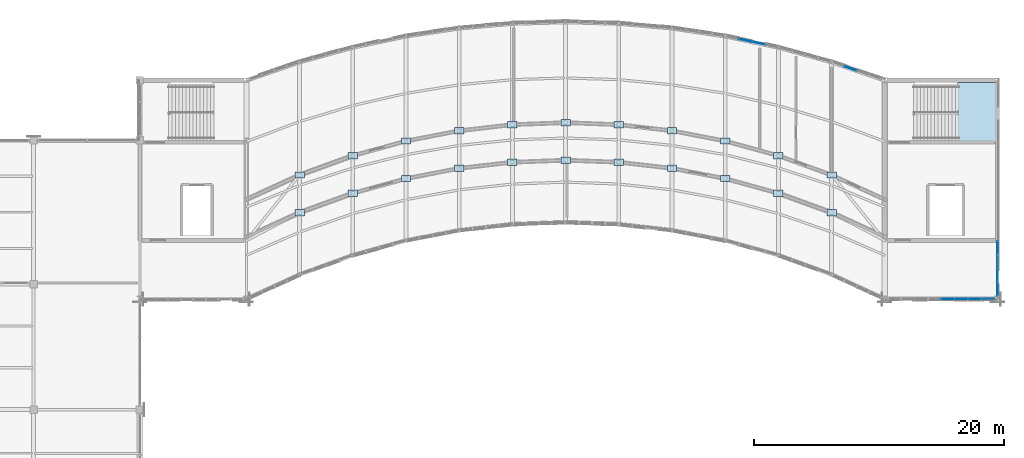
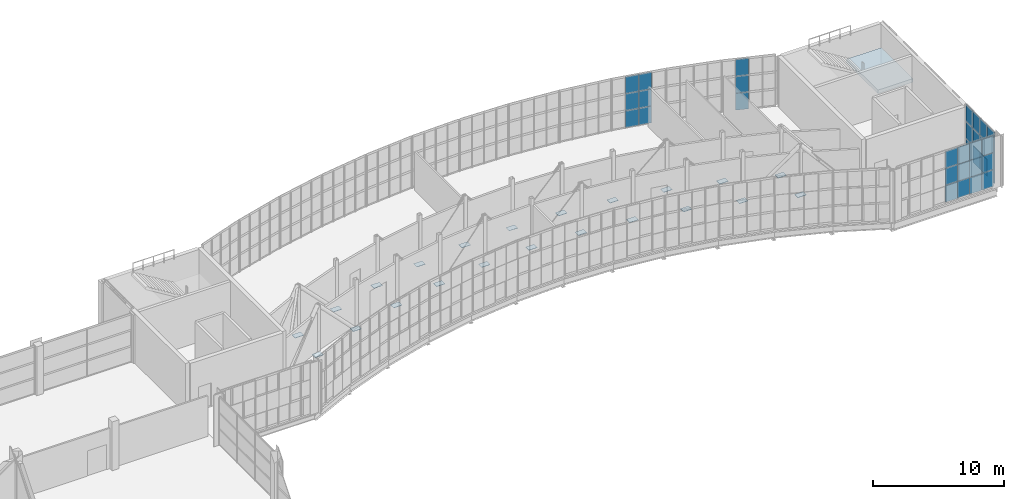
# One storey, part 39 of 46: 55 plates, 1 slab, 5 elements without a shape of their own.
"""IFC4 building model written with IfcOpenShell, lengths in metres."""

from ifc_helpers import new_model, si_unit, direction, frame, origin, origin_2d, place, context, subcontext, project, spatial, polyline, rectangle, outline, extrude, material, layer, layer_set, type_object, element, aggregate, save


model = new_model("IFC4")

# Units and contexts
model_context = context("Model", 3, precision=1e-05, world=origin(), true_north=direction((0.0, 1.0)))
body_context = subcontext(model_context, "Body", "Model", "MODEL_VIEW")
ifc_project = project(units=[si_unit("LENGTHUNIT", "METRE"), si_unit("AREAUNIT", "SQUARE_METRE"), si_unit("VOLUMEUNIT", "CUBIC_METRE"), si_unit("PLANEANGLEUNIT", "RADIAN"), si_unit("MASSUNIT", "GRAM", prefix="KILO")], contexts=[model_context])

# Site, building, storey
site_placement = place(None, origin())
site = spatial("IfcSite", under=ifc_project, at=site_placement, CompositionType="ELEMENT")
building_placement = place(site_placement, origin())
building = spatial("IfcBuilding", under=site, at=building_placement, Name="Solvikara Media Centre", CompositionType="ELEMENT")
storey_placement = place(building_placement, frame((0.0, 0.0, 24.60009765625)))
storey = spatial("IfcBuildingStorey", under=building, at=storey_placement, Name="L05", CompositionType="ELEMENT", Elevation=24.60009765625)

# Plates
ifc_material_1 = material(Name="Steel S355JR", Category="steel")
ifc_layer_1 = layer(ifc_material_1, 0.028076171875)
ifc_layer_set_1 = layer_set([ifc_layer_1], Name="Steel S355JR")
plate_type_1 = type_object("IfcPlateType", Name="PL-01", PredefinedType="USERDEFINED", material=ifc_layer_set_1)
for number, where, z_axis, x_axis, name in (
    (1, (80.75, 26.22900390625, -0.4140625), (0.0, 0.0, 1.0), (1.0, 0.0, 0.0), "GP-L05-S-01"),
    (2, (85.0, 27.77392578125, -0.4140625), (0.0, 0.0, 1.0), (1.0, 0.0, 0.0), "GP-L05-S-02"),
    (3, (89.25, 28.946044921875, -0.4140625), (0.0, 0.0, 1.0), (1.0, 0.0, 0.0), "GP-L05-S-03"),
    (4, (93.5, 29.76806640625, -0.4140625), (0.0, 0.0, 1.0), (1.0, 0.0, 0.0), "GP-L05-S-04"),
    (5, (97.75, 30.2548828125, -0.4140625), (0.0, 0.0, 1.0), (1.0, 0.0, 0.0), "GP-L05-S-05"),
    (6, (102.0, 30.4169921875, -0.4140625), (0.0, 0.0, 1.0), (1.0, 0.0, 0.0), "GP-L05-S-06"),
    (7, (106.25, 30.2548828125, -0.4140625), (0.0, 0.0, 1.0), (1.0, 0.0, 0.0), "GP-L05-S-07"),
    (8, (110.5, 29.76806640625, -0.4140625), (0.0, 0.0, 1.0), (1.0, 0.0, 0.0), "GP-L05-S-08"),
    (9, (114.75, 28.946044921875, -0.4140625), (0.0, 0.0, 1.0), (1.0, 0.0, 0.0), "GP-L05-S-09"),
    (10, (119.0, 27.77392578125, -0.4140625), (0.0, 0.0, 1.0), (1.0, 0.0, 0.0), "GP-L05-S-10"),
    (11, (123.25, 26.22900390625, -0.4140625), (0.0, 0.0, 1.0), (1.0, 0.0, 0.0), "GP-L05-S-11"),
    (12, (80.75, 29.22900390625, -0.4140625), (0.0, 0.0, 1.0), (1.0, 0.0, 0.0), "GP-L05-N-01"),
    (13, (85.0, 30.77392578125, -0.4140625), (0.0, 0.0, 1.0), (1.0, 0.0, 0.0), "GP-L05-N-02"),
    (14, (89.25, 31.946044921875, -0.4140625), (0.0, 0.0, 1.0), (1.0, 0.0, 0.0), "GP-L05-N-03"),
    (15, (93.5, 32.76806640625, -0.4140625), (0.0, 0.0, 1.0), (1.0, 0.0, 0.0), "GP-L05-N-04"),
    (16, (97.75, 33.2548828125, -0.4140625), (0.0, 0.0, 1.0), (1.0, 0.0, 0.0), "GP-L05-N-05"),
    (17, (102.0, 33.4169921875, -0.4140625), (0.0, 0.0, 1.0), (1.0, 0.0, 0.0), "GP-L05-N-06"),
    (18, (106.25, 33.2548828125, -0.4140625), (0.0, 0.0, 1.0), (1.0, 0.0, 0.0), "GP-L05-N-07"),
    (19, (110.5, 32.76806640625, -0.4140625), (0.0, 0.0, 1.0), (1.0, 0.0, 0.0), "GP-L05-N-08"),
    (20, (114.75, 31.946044921875, -0.4140625), (0.0, 0.0, 1.0), (1.0, 0.0, 0.0), "GP-L05-N-09"),
    (21, (119.0, 30.77392578125, -0.4140625), (0.0, 0.0, 1.0), (1.0, 0.0, 0.0), "GP-L05-N-10"),
    (22, (123.25, 29.22900390625, -0.4140625), (0.0, 0.0, 1.0), (1.0, 0.0, 0.0), "GP-L05-N-11"),
):
    element("IfcPlate", number, at=place(storey_placement, frame(where, z_axis=z_axis, x_axis=x_axis)), inside=storey, type_object=plate_type_1, Name=name, ObjectType="GUSSET PLATE", PredefinedType="USERDEFINED", context=body_context, shape_type="SweptSolid", body=[
        extrude(rectangle(XDim=0.75, YDim=0.5, at=origin_2d()), origin(), (0.0, 0.0, 1.0), 0.028076171875),
    ])

# Curtain wall, plates
ifc_material_2 = material(Name="Anodised aluminium EN AW-6063", Category="aluminium")
curtain_wall_type_1 = type_object("IfcCurtainWallType", Name="CW-02", PredefinedType="NOTDEFINED", material=ifc_material_2)
curtain_wall_1_placement = place(storey_placement, origin())
curtain_wall_1 = element("IfcCurtainWall", 23, at=curtain_wall_1_placement, inside=storey, type_object=curtain_wall_type_1, Name="CW-L05-NARC-09", PredefinedType="NOTDEFINED")
ifc_material_3 = material(Name="Laminated solar-control cyan vision glass", Category="glass")
ifc_layer_2 = layer(ifc_material_3, 0.035888671875)
ifc_layer_set_2 = layer_set([ifc_layer_2], Name="Laminated solar-control cyan vision glass")
plate_type_2 = type_object("IfcPlateType", Name="PN-01", PredefinedType="CURTAIN_PANEL", material=ifc_layer_set_2)
plate_1_placement = place(storey_placement, frame((116.35205078125, 39.989990234375, 1.62158203125), z_axis=(0.0, 0.0, 1.0), x_axis=(0.97837923005, -0.206818959981, 0.0)))
plate_1 = element("IfcPlate", 24, at=plate_1_placement, type_object=plate_type_2, Name="CW-L05-NARC-09-P0101", PredefinedType="CURTAIN_PANEL", context=body_context, shape_type="SweptSolid", body=[
    extrude(rectangle(XDim=1.0390625, YDim=0.035888671875, at=origin_2d()), origin(), (0.0, 0.0, 1.0), 1.556884765625),
])
plate_2_placement = place(storey_placement, frame((117.39794921875, 39.76904296875, 0.03466796875), z_axis=(0.0, 0.0, 1.0), x_axis=(0.97837923005, -0.206818959981, 0.0)))
plate_2 = element("IfcPlate", 25, at=plate_2_placement, type_object=plate_type_2, Name="CW-L05-NARC-09-P0200", PredefinedType="CURTAIN_PANEL", context=body_context, shape_type="SweptSolid", body=[
    extrude(rectangle(XDim=1.0390625, YDim=0.035888671875, at=origin_2d()), origin(), (0.0, 0.0, 1.0), 1.556884765625),
])
plate_3_placement = place(storey_placement, frame((117.39794921875, 39.76904296875, 3.20849609375), z_axis=(0.0, 0.0, 1.0), x_axis=(0.97837923005, -0.206818959981, 0.0)))
plate_3 = element("IfcPlate", 26, at=plate_3_placement, type_object=plate_type_2, Name="CW-L05-NARC-09-P0202", PredefinedType="CURTAIN_PANEL", context=body_context, shape_type="SweptSolid", body=[
    extrude(rectangle(XDim=1.0390625, YDim=0.035888671875, at=origin_2d()), origin(), (0.0, 0.0, 1.0), 1.556884765625),
])

# Curtain wall, plate
curtain_wall_2_placement = place(storey_placement, origin())
curtain_wall_2 = element("IfcCurtainWall", 27, at=curtain_wall_2_placement, inside=storey, type_object=curtain_wall_type_1, Name="CW-L05-NARC-11", PredefinedType="NOTDEFINED")
plate_4_placement = place(storey_placement, frame((124.757080078125, 37.741943359375, 0.03466796875), z_axis=(0.0, 0.0, 1.0), x_axis=(0.945705932557, -0.325023520882, 0.0)))
plate_4 = element("IfcPlate", 28, at=plate_4_placement, type_object=plate_type_2, Name="CW-L05-NARC-11-P0100", PredefinedType="CURTAIN_PANEL", context=body_context, shape_type="SweptSolid", body=[
    extrude(rectangle(XDim=1.009033203125, YDim=0.035888671875, at=origin_2d()), origin(), (0.0, 0.0, 1.0), 1.556884765625),
])

# Curtain wall, plates
curtain_wall_type_2 = type_object("IfcCurtainWallType", Name="CW-10", PredefinedType="NOTDEFINED", material=ifc_material_2)
curtain_wall_3_placement = place(storey_placement, origin())
curtain_wall_3 = element("IfcCurtainWall", 29, at=curtain_wall_3_placement, inside=storey, type_object=curtain_wall_type_2, Name="CW-L05-BHES", PredefinedType="NOTDEFINED")
plate_5_placement = place(storey_placement, frame((132.531982421875, 19.323974609375, 3.20849609375), z_axis=(0.0, 0.0, 1.0), x_axis=(1.0, 0.0, 0.0)))
plate_5 = element("IfcPlate", 30, at=plate_5_placement, type_object=plate_type_2, Name="CW-L05-BHES-P0402", PredefinedType="CURTAIN_PANEL", context=body_context, shape_type="SweptSolid", body=[
    extrude(rectangle(XDim=1.033935546875, YDim=0.035888671875, at=origin_2d()), origin(), (0.0, 0.0, 1.0), 1.556884765625),
])
plate_6_placement = place(storey_placement, frame((133.595947265625, 19.323974609375, 0.03466796875), z_axis=(0.0, 0.0, 1.0), x_axis=(1.0, 0.0, 0.0)))
plate_6 = element("IfcPlate", 31, at=plate_6_placement, type_object=plate_type_2, Name="CW-L05-BHES-P0500", PredefinedType="CURTAIN_PANEL", context=body_context, shape_type="SweptSolid", body=[
    extrude(rectangle(XDim=1.033935546875, YDim=0.035888671875, at=origin_2d()), origin(), (0.0, 0.0, 1.0), 1.556884765625),
])
plate_7_placement = place(storey_placement, frame((134.659912109375, 19.323974609375, 1.62158203125), z_axis=(0.0, 0.0, 1.0), x_axis=(1.0, 0.0, 0.0)))
plate_7 = element("IfcPlate", 32, at=plate_7_placement, type_object=plate_type_2, Name="CW-L05-BHES-P0601", PredefinedType="CURTAIN_PANEL", context=body_context, shape_type="SweptSolid", body=[
    extrude(rectangle(XDim=1.033935546875, YDim=0.035888671875, at=origin_2d()), origin(), (0.0, 0.0, 1.0), 1.556884765625),
])
plate_8_placement = place(storey_placement, frame((134.659912109375, 19.323974609375, 3.20849609375), z_axis=(0.0, 0.0, 1.0), x_axis=(1.0, 0.0, 0.0)))
plate_8 = element("IfcPlate", 33, at=plate_8_placement, type_object=plate_type_2, Name="CW-L05-BHES-P0602", PredefinedType="CURTAIN_PANEL", context=body_context, shape_type="SweptSolid", body=[
    extrude(rectangle(XDim=1.033935546875, YDim=0.035888671875, at=origin_2d()), origin(), (0.0, 0.0, 1.0), 1.556884765625),
])

curtain_wall_4_placement = place(storey_placement, origin())
curtain_wall_4 = element("IfcCurtainWall", 34, at=curtain_wall_4_placement, inside=storey, type_object=curtain_wall_type_2, Name="CW-L05-BHEE", PredefinedType="NOTDEFINED")
plate_9_placement = place(storey_placement, frame((136.5, 20.1259765625, 0.03466796875), z_axis=(0.0, 0.0, 1.0), x_axis=(0.0, 1.0, 0.0)))
plate_9 = element("IfcPlate", 35, at=plate_9_placement, type_object=plate_type_2, Name="CW-L05-BHEE-P0000", PredefinedType="CURTAIN_PANEL", context=body_context, shape_type="SweptSolid", body=[
    extrude(rectangle(XDim=1.06689453125, YDim=0.035888671875, at=origin_2d()), origin(), (0.0, 0.0, 1.0), 1.556884765625),
])
plate_10_placement = place(storey_placement, frame((136.5, 20.1259765625, 3.20849609375), z_axis=(0.0, 0.0, 1.0), x_axis=(0.0, 1.0, 0.0)))
plate_10 = element("IfcPlate", 36, at=plate_10_placement, type_object=plate_type_2, Name="CW-L05-BHEE-P0002", PredefinedType="CURTAIN_PANEL", context=body_context, shape_type="SweptSolid", body=[
    extrude(rectangle(XDim=1.06689453125, YDim=0.035888671875, at=origin_2d()), origin(), (0.0, 0.0, 1.0), 1.556884765625),
])
plate_11_placement = place(storey_placement, frame((136.5, 21.222900390625, 1.62158203125), z_axis=(0.0, 0.0, 1.0), x_axis=(0.0, 1.0, 0.0)))
plate_11 = element("IfcPlate", 37, at=plate_11_placement, type_object=plate_type_2, Name="CW-L05-BHEE-P0101", PredefinedType="CURTAIN_PANEL", context=body_context, shape_type="SweptSolid", body=[
    extrude(rectangle(XDim=1.06689453125, YDim=0.035888671875, at=origin_2d()), origin(), (0.0, 0.0, 1.0), 1.556884765625),
])
plate_12_placement = place(storey_placement, frame((136.5, 23.4169921875, 0.03466796875), z_axis=(0.0, 0.0, 1.0), x_axis=(0.0, 1.0, 0.0)))
plate_12 = element("IfcPlate", 38, at=plate_12_placement, type_object=plate_type_2, Name="CW-L05-BHEE-P0300", PredefinedType="CURTAIN_PANEL", context=body_context, shape_type="SweptSolid", body=[
    extrude(rectangle(XDim=1.06689453125, YDim=0.035888671875, at=origin_2d()), origin(), (0.0, 0.0, 1.0), 1.556884765625),
])

# Plate
ifc_material_4 = material(Name="Ceramic-fritted teal low-E glass", Category="glass")
ifc_layer_3 = layer(ifc_material_4, 0.0419921875)
ifc_layer_set_3 = layer_set([ifc_layer_3], Name="Ceramic-fritted teal low-E glass")
plate_type_3 = type_object("IfcPlateType", Name="PN-02", PredefinedType="CURTAIN_PANEL", material=ifc_layer_set_3)
plate_13_placement = place(storey_placement, frame((117.39794921875, 39.76904296875, 1.62158203125), z_axis=(0.0, 0.0, 1.0), x_axis=(0.97837923005, -0.206818959981, 0.0)))
plate_13 = element("IfcPlate", 39, at=plate_13_placement, type_object=plate_type_3, Name="CW-L05-NARC-09-P0201", PredefinedType="CURTAIN_PANEL", context=body_context, shape_type="SweptSolid", body=[
    extrude(rectangle(XDim=1.0390625, YDim=0.0419921875, at=origin_2d()), origin(), (0.0, 0.0, 1.0), 1.556884765625),
])

plate_14_placement = place(storey_placement, frame((124.757080078125, 37.741943359375, 1.62158203125), z_axis=(0.0, 0.0, 1.0), x_axis=(0.945705932557, -0.325023520882, 0.0)))
plate_14 = element("IfcPlate", 40, at=plate_14_placement, type_object=plate_type_3, Name="CW-L05-NARC-11-P0101", PredefinedType="CURTAIN_PANEL", context=body_context, shape_type="SweptSolid", body=[
    extrude(rectangle(XDim=1.009033203125, YDim=0.0419921875, at=origin_2d()), origin(), (0.0, 0.0, 1.0), 1.556884765625),
])

plate_15_placement = place(storey_placement, frame((133.595947265625, 19.323974609375, 1.62158203125), z_axis=(0.0, 0.0, 1.0), x_axis=(1.0, 0.0, 0.0)))
plate_15 = element("IfcPlate", 41, at=plate_15_placement, type_object=plate_type_3, Name="CW-L05-BHES-P0501", PredefinedType="CURTAIN_PANEL", context=body_context, shape_type="SweptSolid", body=[
    extrude(rectangle(XDim=1.033935546875, YDim=0.0419921875, at=origin_2d()), origin(), (0.0, 0.0, 1.0), 1.556884765625),
])

plate_16_placement = place(storey_placement, frame((133.595947265625, 19.323974609375, 3.20849609375), z_axis=(0.0, 0.0, 1.0), x_axis=(1.0, 0.0, 0.0)))
plate_16 = element("IfcPlate", 42, at=plate_16_placement, type_object=plate_type_3, Name="CW-L05-BHES-P0502", PredefinedType="CURTAIN_PANEL", context=body_context, shape_type="SweptSolid", body=[
    extrude(rectangle(XDim=1.033935546875, YDim=0.0419921875, at=origin_2d()), origin(), (0.0, 0.0, 1.0), 1.556884765625),
])

plate_17_placement = place(storey_placement, frame((134.659912109375, 19.323974609375, 0.03466796875), z_axis=(0.0, 0.0, 1.0), x_axis=(1.0, 0.0, 0.0)))
plate_17 = element("IfcPlate", 43, at=plate_17_placement, type_object=plate_type_3, Name="CW-L05-BHES-P0600", PredefinedType="CURTAIN_PANEL", context=body_context, shape_type="SweptSolid", body=[
    extrude(rectangle(XDim=1.033935546875, YDim=0.0419921875, at=origin_2d()), origin(), (0.0, 0.0, 1.0), 1.556884765625),
])

plate_18_placement = place(storey_placement, frame((136.5, 20.1259765625, 1.62158203125), z_axis=(0.0, 0.0, 1.0), x_axis=(0.0, 1.0, 0.0)))
plate_18 = element("IfcPlate", 44, at=plate_18_placement, type_object=plate_type_3, Name="CW-L05-BHEE-P0001", PredefinedType="CURTAIN_PANEL", context=body_context, shape_type="SweptSolid", body=[
    extrude(rectangle(XDim=1.06689453125, YDim=0.0419921875, at=origin_2d()), origin(), (0.0, 0.0, 1.0), 1.556884765625),
])

plate_19_placement = place(storey_placement, frame((136.5, 21.222900390625, 0.03466796875), z_axis=(0.0, 0.0, 1.0), x_axis=(0.0, 1.0, 0.0)))
plate_19 = element("IfcPlate", 45, at=plate_19_placement, type_object=plate_type_3, Name="CW-L05-BHEE-P0100", PredefinedType="CURTAIN_PANEL", context=body_context, shape_type="SweptSolid", body=[
    extrude(rectangle(XDim=1.06689453125, YDim=0.0419921875, at=origin_2d()), origin(), (0.0, 0.0, 1.0), 1.556884765625),
])

plate_20_placement = place(storey_placement, frame((136.5, 21.222900390625, 3.20849609375), z_axis=(0.0, 0.0, 1.0), x_axis=(0.0, 1.0, 0.0)))
plate_20 = element("IfcPlate", 46, at=plate_20_placement, type_object=plate_type_3, Name="CW-L05-BHEE-P0102", PredefinedType="CURTAIN_PANEL", context=body_context, shape_type="SweptSolid", body=[
    extrude(rectangle(XDim=1.06689453125, YDim=0.0419921875, at=origin_2d()), origin(), (0.0, 0.0, 1.0), 1.556884765625),
])

plate_21_placement = place(storey_placement, frame((136.5, 22.320068359375, 0.03466796875), z_axis=(0.0, 0.0, 1.0), x_axis=(0.0, 1.0, 0.0)))
plate_21 = element("IfcPlate", 47, at=plate_21_placement, type_object=plate_type_3, Name="CW-L05-BHEE-P0200", PredefinedType="CURTAIN_PANEL", context=body_context, shape_type="SweptSolid", body=[
    extrude(rectangle(XDim=1.06689453125, YDim=0.0419921875, at=origin_2d()), origin(), (0.0, 0.0, 1.0), 1.556884765625),
])

plate_22_placement = place(storey_placement, frame((136.5, 22.320068359375, 1.62158203125), z_axis=(0.0, 0.0, 1.0), x_axis=(0.0, 1.0, 0.0)))
plate_22 = element("IfcPlate", 48, at=plate_22_placement, type_object=plate_type_3, Name="CW-L05-BHEE-P0201", PredefinedType="CURTAIN_PANEL", context=body_context, shape_type="SweptSolid", body=[
    extrude(rectangle(XDim=1.06689453125, YDim=0.0419921875, at=origin_2d()), origin(), (0.0, 0.0, 1.0), 1.556884765625),
])

plate_23_placement = place(storey_placement, frame((136.5, 22.320068359375, 3.20849609375), z_axis=(0.0, 0.0, 1.0), x_axis=(0.0, 1.0, 0.0)))
plate_23 = element("IfcPlate", 49, at=plate_23_placement, type_object=plate_type_3, Name="CW-L05-BHEE-P0202", PredefinedType="CURTAIN_PANEL", context=body_context, shape_type="SweptSolid", body=[
    extrude(rectangle(XDim=1.06689453125, YDim=0.0419921875, at=origin_2d()), origin(), (0.0, 0.0, 1.0), 1.556884765625),
])

plate_24_placement = place(storey_placement, frame((136.5, 23.4169921875, 1.62158203125), z_axis=(0.0, 0.0, 1.0), x_axis=(0.0, 1.0, 0.0)))
plate_24 = element("IfcPlate", 50, at=plate_24_placement, type_object=plate_type_3, Name="CW-L05-BHEE-P0301", PredefinedType="CURTAIN_PANEL", context=body_context, shape_type="SweptSolid", body=[
    extrude(rectangle(XDim=1.06689453125, YDim=0.0419921875, at=origin_2d()), origin(), (0.0, 0.0, 1.0), 1.556884765625),
])

plate_25_placement = place(storey_placement, frame((136.5, 23.4169921875, 3.20849609375), z_axis=(0.0, 0.0, 1.0), x_axis=(0.0, 1.0, 0.0)))
plate_25 = element("IfcPlate", 51, at=plate_25_placement, type_object=plate_type_3, Name="CW-L05-BHEE-P0302", PredefinedType="CURTAIN_PANEL", context=body_context, shape_type="SweptSolid", body=[
    extrude(rectangle(XDim=1.06689453125, YDim=0.0419921875, at=origin_2d()), origin(), (0.0, 0.0, 1.0), 1.556884765625),
])

aggregate(curtain_wall_4, [plate_9, plate_18, plate_10, plate_19, plate_11, plate_20, plate_21, plate_22, plate_23, plate_12, plate_24, plate_25])

ifc_material_5 = material(Name="Insulated silver-pearl glass spandrel panel", Category="glass")
ifc_layer_4 = layer(ifc_material_5, 0.054931640625)
ifc_layer_set_4 = layer_set([ifc_layer_4], Name="Insulated silver-pearl glass spandrel panel")
plate_type_4 = type_object("IfcPlateType", Name="PN-03", PredefinedType="CURTAIN_PANEL", material=ifc_layer_set_4)
plate_26_placement = place(storey_placement, frame((116.35205078125, 39.989990234375, 0.03466796875), z_axis=(0.0, 0.0, 1.0), x_axis=(0.97837923005, -0.206818959981, 0.0)))
plate_26 = element("IfcPlate", 52, at=plate_26_placement, type_object=plate_type_4, Name="CW-L05-NARC-09-P0100", PredefinedType="CURTAIN_PANEL", context=body_context, shape_type="SweptSolid", body=[
    extrude(rectangle(XDim=1.0390625, YDim=0.054931640625, at=origin_2d()), origin(), (0.0, 0.0, 1.0), 1.556884765625),
])

plate_27_placement = place(storey_placement, frame((116.35205078125, 39.989990234375, 3.20849609375), z_axis=(0.0, 0.0, 1.0), x_axis=(0.97837923005, -0.206818959981, 0.0)))
plate_27 = element("IfcPlate", 53, at=plate_27_placement, type_object=plate_type_4, Name="CW-L05-NARC-09-P0102", PredefinedType="CURTAIN_PANEL", context=body_context, shape_type="SweptSolid", body=[
    extrude(rectangle(XDim=1.0390625, YDim=0.054931640625, at=origin_2d()), origin(), (0.0, 0.0, 1.0), 1.556884765625),
])

aggregate(curtain_wall_1, [plate_26, plate_1, plate_27, plate_2, plate_13, plate_3])

plate_28_placement = place(storey_placement, frame((124.757080078125, 37.741943359375, 3.20849609375), z_axis=(0.0, 0.0, 1.0), x_axis=(0.945705932557, -0.325023520882, 0.0)))
plate_28 = element("IfcPlate", 54, at=plate_28_placement, type_object=plate_type_4, Name="CW-L05-NARC-11-P0102", PredefinedType="CURTAIN_PANEL", context=body_context, shape_type="SweptSolid", body=[
    extrude(rectangle(XDim=1.009033203125, YDim=0.054931640625, at=origin_2d()), origin(), (0.0, 0.0, 1.0), 1.556884765625),
])

aggregate(curtain_wall_2, [plate_4, plate_14, plate_28])

plate_29_placement = place(storey_placement, frame((132.531982421875, 19.323974609375, 0.03466796875), z_axis=(0.0, 0.0, 1.0), x_axis=(1.0, 0.0, 0.0)))
plate_29 = element("IfcPlate", 55, at=plate_29_placement, type_object=plate_type_4, Name="CW-L05-BHES-P0400", PredefinedType="CURTAIN_PANEL", context=body_context, shape_type="SweptSolid", body=[
    extrude(rectangle(XDim=1.033935546875, YDim=0.054931640625, at=origin_2d()), origin(), (0.0, 0.0, 1.0), 1.556884765625),
])

plate_30_placement = place(storey_placement, frame((132.531982421875, 19.323974609375, 1.62158203125), z_axis=(0.0, 0.0, 1.0), x_axis=(1.0, 0.0, 0.0)))
plate_30 = element("IfcPlate", 56, at=plate_30_placement, type_object=plate_type_4, Name="CW-L05-BHES-P0401", PredefinedType="CURTAIN_PANEL", context=body_context, shape_type="SweptSolid", body=[
    extrude(rectangle(XDim=1.033935546875, YDim=0.054931640625, at=origin_2d()), origin(), (0.0, 0.0, 1.0), 1.556884765625),
])

plate_31_placement = place(storey_placement, frame((135.72412109375, 19.323974609375, 0.03466796875), z_axis=(0.0, 0.0, 1.0), x_axis=(1.0, 0.0, 0.0)))
plate_31 = element("IfcPlate", 57, at=plate_31_placement, type_object=plate_type_4, Name="CW-L05-BHES-P0700", PredefinedType="CURTAIN_PANEL", context=body_context, shape_type="SweptSolid", body=[
    extrude(rectangle(XDim=1.033935546875, YDim=0.054931640625, at=origin_2d()), origin(), (0.0, 0.0, 1.0), 1.556884765625),
])

plate_32_placement = place(storey_placement, frame((135.72412109375, 19.323974609375, 1.62158203125), z_axis=(0.0, 0.0, 1.0), x_axis=(1.0, 0.0, 0.0)))
plate_32 = element("IfcPlate", 58, at=plate_32_placement, type_object=plate_type_4, Name="CW-L05-BHES-P0701", PredefinedType="CURTAIN_PANEL", context=body_context, shape_type="SweptSolid", body=[
    extrude(rectangle(XDim=1.033935546875, YDim=0.054931640625, at=origin_2d()), origin(), (0.0, 0.0, 1.0), 1.556884765625),
])

plate_33_placement = place(storey_placement, frame((135.72412109375, 19.323974609375, 3.20849609375), z_axis=(0.0, 0.0, 1.0), x_axis=(1.0, 0.0, 0.0)))
plate_33 = element("IfcPlate", 59, at=plate_33_placement, type_object=plate_type_4, Name="CW-L05-BHES-P0702", PredefinedType="CURTAIN_PANEL", context=body_context, shape_type="SweptSolid", body=[
    extrude(rectangle(XDim=1.033935546875, YDim=0.054931640625, at=origin_2d()), origin(), (0.0, 0.0, 1.0), 1.556884765625),
])

aggregate(curtain_wall_3, [plate_29, plate_30, plate_5, plate_6, plate_15, plate_16, plate_17, plate_7, plate_8, plate_31, plate_32, plate_33])

# Stair, slab
ifc_material_6 = material(Name="Concrete fc' 35 MPa (C35/45)", Category="concrete")
stair_type = type_object("IfcStairType", Name="SR-01", PredefinedType="HALF_TURN_STAIR", material=ifc_material_6)
stair_placement = place(storey_placement, origin())
stair = element("IfcStair", 60, at=stair_placement, inside=storey, type_object=stair_type, Name="ST-C4-L05", PredefinedType="HALF_TURN_STAIR")
ifc_layer_5 = layer(ifc_material_6, 0.330078125)
ifc_layer_set_5 = layer_set([ifc_layer_5], Name="Concrete fc' 35 MPa (C35/45)")
slab_type = type_object("IfcSlabType", Name="ST-15", PredefinedType="LANDING", material=ifc_layer_set_5)
slab_placement = place(storey_placement, frame((0.0, 0.0, 2.06982421875)))
slab = element("IfcSlab", 61, at=slab_placement, type_object=slab_type, Name="ST-C4-L05-LND", PredefinedType="LANDING", context=body_context, shape_type="SweptSolid", body=[
    extrude(outline(polyline([(133.300048828125, 31.85009765625), (136.3798828125, 31.85009765625), (136.3798828125, 36.6201171875), (133.300048828125, 36.6201171875), (133.300048828125, 31.85009765625)])), origin(), (0.0, 0.0, 1.0), 0.330078125),
])
aggregate(stair, [slab])

save(model, "model.ifc")
